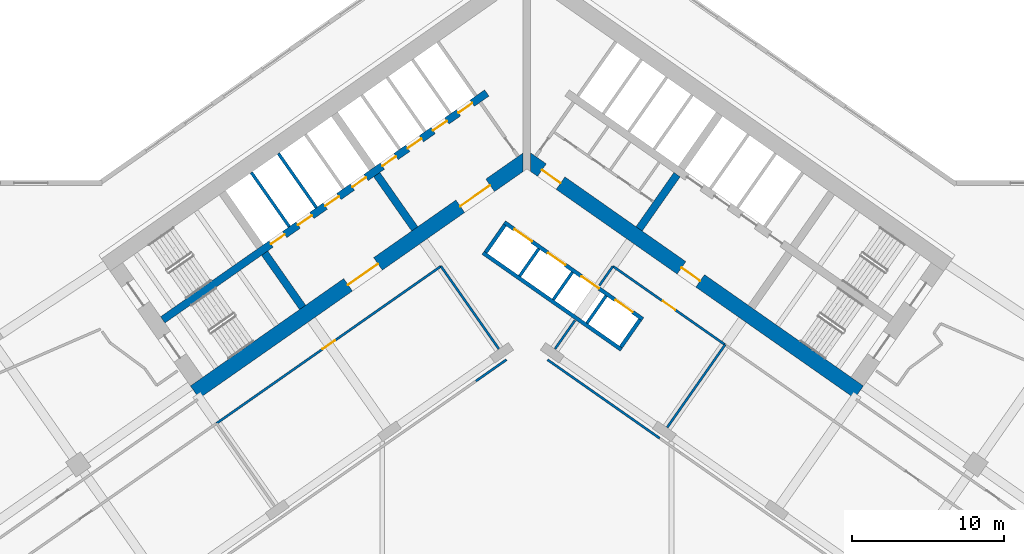
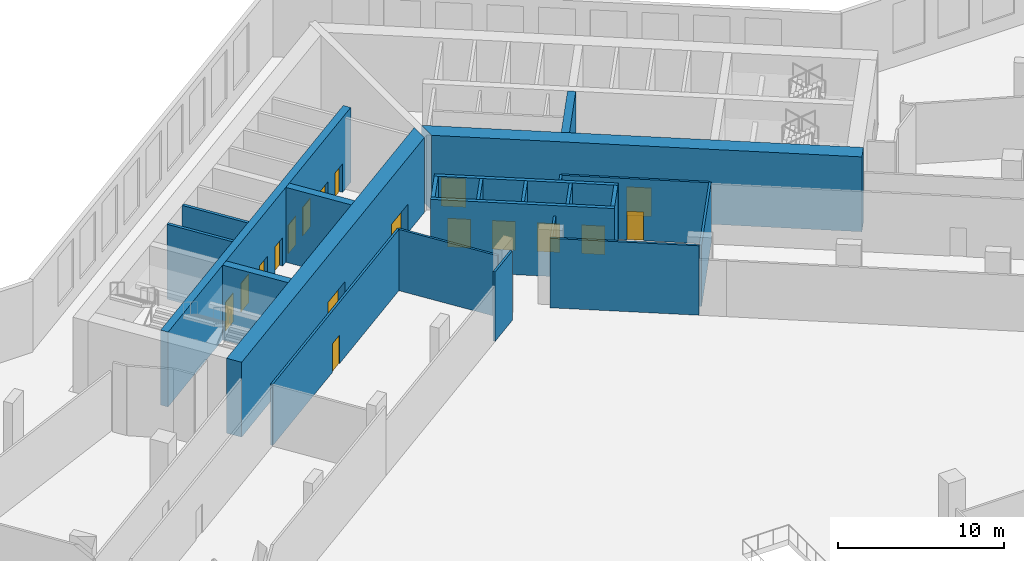
# One storey, part 8 of 15: 23 walls, 18 doors, 18 openings.
"""IFC4 building model written with IfcOpenShell, lengths in metres."""

from ifc_helpers import new_model, si_unit, direction, frame, frame_2d, origin, place, context, subcontext, project, spatial, polyline, rectangle, outline, extrude, material, layer, layer_set, type_object, element, fill, save


model = new_model("IFC4")

# Units and contexts
model_context = context("Model", 3, precision=1e-05, world=origin(), true_north=direction((0.0, 1.0)))
body_context = subcontext(model_context, "Body", "Model", "MODEL_VIEW")
ifc_project = project(units=[si_unit("LENGTHUNIT", "METRE"), si_unit("AREAUNIT", "SQUARE_METRE"), si_unit("VOLUMEUNIT", "CUBIC_METRE"), si_unit("PLANEANGLEUNIT", "RADIAN"), si_unit("MASSUNIT", "GRAM", prefix="KILO")], contexts=[model_context])

# Site, building, storey
site_placement = place(None, origin())
site = spatial("IfcSite", under=ifc_project, at=site_placement, CompositionType="ELEMENT")
building_placement = place(site_placement, origin())
building = spatial("IfcBuilding", under=site, at=building_placement, Name="Tel Ilan Convention Tower", CompositionType="ELEMENT")
storey_placement = place(building_placement, frame((0.0, 0.0, 43.0)))
storey = spatial("IfcBuildingStorey", under=building, at=storey_placement, Name="L06", CompositionType="ELEMENT", Elevation=43.0)

# Wall, openings, doors
ifc_material_1 = material(Name="Concrete C60/75", Category="concrete")
ifc_layer_1 = layer(ifc_material_1, 1.0)
ifc_layer_set_1 = layer_set([ifc_layer_1], Name="Core Shear Wall 1000 mm C60/75")
wall_type_1 = type_object("IfcWallType", Name="Core Shear Wall 1000 mm C60/75", PredefinedType="SHEAR", material=ifc_layer_set_1)
wall_1_placement = place(storey_placement, frame((0.036865234375, -0.584716796875, 0.0), z_axis=(0.0, 0.0, 1.0), x_axis=(-0.819157152511, -0.573569140985, 0.0)))
wall_1 = element("IfcWall", 1, at=wall_1_placement, inside=storey, type_object=wall_type_1, Name="L06 core wall W-front", PredefinedType="SHEAR", context=body_context, shape_type="SweptSolid", body=[
    extrude(outline(polyline([(26.69482421875, 0.500244140625), (0.7001953125, 0.499755859375), (0.0, -0.5), (26.69482421875, -0.499755859375), (26.69482421875, 0.500244140625)])), origin(), (0.0, 0.0, 1.0), 5.5),
])
opening_1_placement = place(wall_1_placement, frame((2.994873046875, 0.0, 0.0)))
opening_1 = element("IfcOpeningElement", 2, at=opening_1_placement, cuts=wall_1, Name="Opening CD0905", PredefinedType="OPENING", context=body_context, shape_type="SweptSolid", body=[
    extrude(rectangle(XDim=2.39990234375, YDim=2.10009765625, at=frame_2d((1.199951171875, 1.050048828125))), frame((0.0, 0.510009765625, 0.0), z_axis=(0.0, -1.0, 0.0), x_axis=(1.0, 0.0, 0.0)), (0.0, 0.0, 1.0), 1.02001953125),
])
opening_2_placement = place(wall_1_placement, frame((11.994873046875, 0.0, 0.0)))
opening_2 = element("IfcOpeningElement", 3, at=opening_2_placement, cuts=wall_1, Name="Opening CD0906", PredefinedType="OPENING", context=body_context, shape_type="SweptSolid", body=[
    extrude(rectangle(XDim=2.39990234375, YDim=2.10009765625, at=frame_2d((1.199951171875, 1.050048828125))), frame((0.0, 0.510009765625, 0.0), z_axis=(0.0, -1.0, 0.0), x_axis=(1.0, 0.0, 0.0)), (0.0, 0.0, 1.0), 1.02001953125),
])
ifc_material_2 = material(Name="Glazed Aluminium Door Leaf", Category="aluminium")
door_type_1 = type_object("IfcDoorType", Name="Lobby Opening Door 2400 x 2100 FD60S", OperationType="NOTDEFINED", PredefinedType="DOOR", material=ifc_material_2)
door_1_placement = place(opening_1_placement, origin())
door_1 = element("IfcDoor", 4, at=door_1_placement, inside=storey, type_object=door_type_1, Name="Lift Lobby LR1-LR4 opening", OperationType="DOUBLE_DOOR_SINGLE_SWING", OverallHeight=2.10009765625, OverallWidth=2.39990234375, PredefinedType="DOOR", context=body_context, shape_type="SweptSolid", body=[
    extrude(rectangle(XDim=2.39990234375, YDim=2.10009765625, at=frame_2d((1.199951171875, 1.050048828125))), frame((0.0, 0.02490234375, 0.0), z_axis=(0.0, -1.0, 0.0), x_axis=(1.0, 0.0, 0.0)), (0.0, 0.0, 1.0), 0.050048828125),
])
fill(opening_1, door_1)
door_2_placement = place(opening_2_placement, origin())
door_2 = element("IfcDoor", 5, at=door_2_placement, inside=storey, type_object=door_type_1, Name="Lift Lobby LR5-LR8 opening", OperationType="DOUBLE_DOOR_SINGLE_SWING", OverallHeight=2.10009765625, OverallWidth=2.39990234375, PredefinedType="DOOR", context=body_context, shape_type="SweptSolid", body=[
    extrude(rectangle(XDim=2.39990234375, YDim=2.10009765625, at=frame_2d((1.199951171875, 1.050048828125))), frame((0.0, 0.02490234375, 0.0), z_axis=(0.0, -1.0, 0.0), x_axis=(1.0, 0.0, 0.0)), (0.0, 0.0, 1.0), 0.050048828125),
])
fill(opening_2, door_2)

wall_2_placement = place(storey_placement, frame((-0.036865234375, -0.584716796875, 0.0), z_axis=(0.0, 0.0, 1.0), x_axis=(0.819157152511, -0.573569140985, 0.0)))
wall_2 = element("IfcWall", 6, at=wall_2_placement, inside=storey, type_object=wall_type_1, Name="L06 core wall E-front", PredefinedType="SHEAR", context=body_context, shape_type="SweptSolid", body=[
    extrude(outline(polyline([(26.69482421875, 0.499755859375), (0.0, 0.5), (0.7001953125, -0.499755859375), (26.69482421875, -0.500244140625), (26.69482421875, 0.499755859375)])), origin(), (0.0, 0.0, 1.0), 5.5),
])
opening_3_placement = place(wall_2_placement, frame((1.244873046875, 0.0, 0.0)))
opening_3 = element("IfcOpeningElement", 7, at=opening_3_placement, cuts=wall_2, Name="Opening CD0903", PredefinedType="OPENING", context=body_context, shape_type="SweptSolid", body=[
    extrude(rectangle(XDim=1.5, YDim=2.10009765625, at=frame_2d((0.75, 1.050048828125))), frame((0.0, 0.510009765625, 0.0), z_axis=(0.0, -1.0, 0.0), x_axis=(1.0, 0.0, 0.0)), (0.0, 0.0, 1.0), 1.02001953125),
])
opening_4_placement = place(wall_2_placement, frame((12.44482421875, 0.0, 0.0)))
opening_4 = element("IfcOpeningElement", 8, at=opening_4_placement, cuts=wall_2, Name="Opening CD0904", PredefinedType="OPENING", context=body_context, shape_type="SweptSolid", body=[
    extrude(rectangle(XDim=1.5, YDim=2.10009765625, at=frame_2d((0.75, 1.050048828125))), frame((0.0, 0.510009765625, 0.0), z_axis=(0.0, -1.0, 0.0), x_axis=(1.0, 0.0, 0.0)), (0.0, 0.0, 1.0), 1.02001953125),
])
ifc_material_3 = material(Name="Glazed Aluminium Door Leaf", Category="aluminium")
door_type_2 = type_object("IfcDoorType", Name="Lobby Opening Door 1500 x 2100 FD60S", OperationType="NOTDEFINED", PredefinedType="DOOR", material=ifc_material_3)
door_3_placement = place(opening_4_placement, origin())
door_3 = element("IfcDoor", 9, at=door_3_placement, inside=storey, type_object=door_type_2, Name="Firefighting Lobby door", OperationType="DOUBLE_DOOR_SINGLE_SWING", OverallHeight=2.10009765625, OverallWidth=1.5, PredefinedType="DOOR", context=body_context, shape_type="SweptSolid", body=[
    extrude(rectangle(XDim=1.5, YDim=2.10009765625, at=frame_2d((0.75, 1.050048828125))), frame((0.0, 0.02490234375, 0.0), z_axis=(0.0, -1.0, 0.0), x_axis=(1.0, 0.0, 0.0)), (0.0, 0.0, 1.0), 0.050048828125),
])
fill(opening_4, door_3)
ifc_material_4 = material(Name="Laminated Timber Door Leaf", Category="wood")
door_type_3 = type_object("IfcDoorType", Name="Toilet Door 1500 x 2100 FD30S", OperationType="NOTDEFINED", PredefinedType="DOOR", material=ifc_material_4)
door_4_placement = place(opening_3_placement, origin())
door_4 = element("IfcDoor", 10, at=door_4_placement, inside=storey, type_object=door_type_3, Name="WC Lobby door", OperationType="SINGLE_SWING_RIGHT", OverallHeight=2.10009765625, OverallWidth=1.5, PredefinedType="DOOR", context=body_context, shape_type="SweptSolid", body=[
    extrude(rectangle(XDim=1.5, YDim=2.10009765625, at=frame_2d((0.75, 1.050048828125))), frame((0.0, 0.02490234375, 0.0), z_axis=(0.0, -1.0, 0.0), x_axis=(1.0, 0.0, 0.0)), (0.0, 0.0, 1.0), 0.050048828125),
])
fill(opening_3, door_4)

# Walls
ifc_material_5 = material(Name="Concrete C60/75", Category="concrete")
ifc_layer_2 = layer(ifc_material_5, 0.5)
ifc_layer_set_2 = layer_set([ifc_layer_2], Name="Core Shear Wall 500 mm C60/75")
wall_type_2 = type_object("IfcWallType", Name="Core Shear Wall 500 mm C60/75", PredefinedType="SHEAR", material=ifc_layer_set_2)
wall_3_placement = place(storey_placement, frame((-7.372314453125, -5.162109375, 0.0), z_axis=(0.0, 0.0, 1.0), x_axis=(-0.573594173421, 0.819139624372, 0.0)))
element("IfcWall", 11, at=wall_3_placement, inside=storey, type_object=wall_type_2, Name="L06 core wall W-cross1-1", PredefinedType="SHEAR", context=body_context, shape_type="SweptSolid", body=[
    extrude(outline(polyline([(4.349853515625, 0.25), (0.0, 0.250244140625), (0.0, -0.25), (4.349853515625, -0.25), (4.349853515625, 0.25)])), origin(), (0.0, 0.0, 1.0), 5.5),
])
wall_4_placement = place(storey_placement, frame((-14.74462890625, -10.324462890625, 0.0), z_axis=(0.0, 0.0, 1.0), x_axis=(-0.57356780395, 0.819158088694, 0.0)))
element("IfcWall", 12, at=wall_4_placement, inside=storey, type_object=wall_type_2, Name="L06 core wall W-cross2-1", PredefinedType="SHEAR", context=body_context, shape_type="SweptSolid", body=[
    extrude(outline(polyline([(4.35009765625, 0.250244140625), (0.0, 0.25), (0.0, -0.25), (4.35009765625, -0.25), (4.35009765625, 0.250244140625)])), origin(), (0.0, 0.0, 1.0), 5.5),
])

# Wall, openings, doors
wall_5_placement = place(storey_placement, frame((-2.638427734375, 3.76806640625, 0.0), z_axis=(0.0, 0.0, 1.0), x_axis=(-0.819148977158, -0.573580816643, 0.0)))
wall_5 = element("IfcWall", 13, at=wall_5_placement, inside=storey, type_object=wall_type_2, Name="L06 core wall W-spine", PredefinedType="SHEAR", context=body_context, shape_type="SweptSolid", body=[
    extrude(outline(polyline([(26.0, 0.249755859375), (0.0, 0.25), (0.0, -0.25), (26.0, -0.250244140625), (26.0, 0.249755859375)])), origin(), (0.0, 0.0, 1.0), 5.5),
])
opening_5_placement = place(wall_5_placement, frame((1.168701171875, 0.0, 0.0)))
opening_5 = element("IfcOpeningElement", 14, at=opening_5_placement, cuts=wall_5, Name="Opening LD0904", PredefinedType="OPENING", context=body_context, shape_type="SweptSolid", body=[
    extrude(rectangle(XDim=1.10009765625, YDim=2.10009765625, at=frame_2d((0.550048828125, 1.050048828125))), frame((0.0, 0.260009765625, 0.0), z_axis=(0.0, -1.0, 0.0), x_axis=(1.0, 0.0, 0.0)), (0.0, 0.0, 1.0), 0.52001953125),
])
opening_6_placement = place(wall_5_placement, frame((3.206298828125, 0.0, 0.0)))
opening_6 = element("IfcOpeningElement", 15, at=opening_6_placement, cuts=wall_5, Name="Opening LD0905", PredefinedType="OPENING", context=body_context, shape_type="SweptSolid", body=[
    extrude(rectangle(XDim=1.10009765625, YDim=2.10009765625, at=frame_2d((0.550048828125, 1.050048828125))), frame((0.0, 0.260009765625, 0.0), z_axis=(0.0, -1.0, 0.0), x_axis=(1.0, 0.0, 0.0)), (0.0, 0.0, 1.0), 0.52001953125),
])
opening_7_placement = place(wall_5_placement, frame((5.24365234375, 0.0, 0.0)))
opening_7 = element("IfcOpeningElement", 16, at=opening_7_placement, cuts=wall_5, Name="Opening LD0906", PredefinedType="OPENING", context=body_context, shape_type="SweptSolid", body=[
    extrude(rectangle(XDim=1.10009765625, YDim=2.10009765625, at=frame_2d((0.550048828125, 1.050048828125))), frame((0.0, 0.260009765625, 0.0), z_axis=(0.0, -1.0, 0.0), x_axis=(1.0, 0.0, 0.0)), (0.0, 0.0, 1.0), 0.52001953125),
])
opening_8_placement = place(wall_5_placement, frame((7.28125, 0.0, 0.0)))
opening_8 = element("IfcOpeningElement", 17, at=opening_8_placement, cuts=wall_5, Name="Opening LD0907", PredefinedType="OPENING", context=body_context, shape_type="SweptSolid", body=[
    extrude(rectangle(XDim=1.10009765625, YDim=2.10009765625, at=frame_2d((0.550048828125, 1.050048828125))), frame((0.0, 0.260009765625, 0.0), z_axis=(0.0, -1.0, 0.0), x_axis=(1.0, 0.0, 0.0)), (0.0, 0.0, 1.0), 0.52001953125),
])
opening_9_placement = place(wall_5_placement, frame((9.6875, 0.0, 0.0)))
opening_9 = element("IfcOpeningElement", 18, at=opening_9_placement, cuts=wall_5, Name="Opening LD0908", PredefinedType="OPENING", context=body_context, shape_type="SweptSolid", body=[
    extrude(rectangle(XDim=1.10009765625, YDim=2.10009765625, at=frame_2d((0.550048828125, 1.050048828125))), frame((0.0, 0.260009765625, 0.0), z_axis=(0.0, -1.0, 0.0), x_axis=(1.0, 0.0, 0.0)), (0.0, 0.0, 1.0), 0.52001953125),
])
opening_10_placement = place(wall_5_placement, frame((11.862548828125, 0.0, 0.0)))
opening_10 = element("IfcOpeningElement", 19, at=opening_10_placement, cuts=wall_5, Name="Opening LD0909", PredefinedType="OPENING", context=body_context, shape_type="SweptSolid", body=[
    extrude(rectangle(XDim=1.10009765625, YDim=2.10009765625, at=frame_2d((0.550048828125, 1.050048828125))), frame((0.0, 0.260009765625, 0.0), z_axis=(0.0, -1.0, 0.0), x_axis=(1.0, 0.0, 0.0)), (0.0, 0.0, 1.0), 0.52001953125),
])
opening_11_placement = place(wall_5_placement, frame((14.03759765625, 0.0, 0.0)))
opening_11 = element("IfcOpeningElement", 20, at=opening_11_placement, cuts=wall_5, Name="Opening LD0910", PredefinedType="OPENING", context=body_context, shape_type="SweptSolid", body=[
    extrude(rectangle(XDim=1.10009765625, YDim=2.10009765625, at=frame_2d((0.550048828125, 1.050048828125))), frame((0.0, 0.260009765625, 0.0), z_axis=(0.0, -1.0, 0.0), x_axis=(1.0, 0.0, 0.0)), (0.0, 0.0, 1.0), 0.52001953125),
])
opening_12_placement = place(wall_5_placement, frame((16.21240234375, 0.0, 0.0)))
opening_12 = element("IfcOpeningElement", 21, at=opening_12_placement, cuts=wall_5, Name="Opening LD0911", PredefinedType="OPENING", context=body_context, shape_type="SweptSolid", body=[
    extrude(rectangle(XDim=1.10009765625, YDim=2.10009765625, at=frame_2d((0.550048828125, 1.050048828125))), frame((0.0, 0.260009765625, 0.0), z_axis=(0.0, -1.0, 0.0), x_axis=(1.0, 0.0, 0.0)), (0.0, 0.0, 1.0), 0.52001953125),
])
ifc_material_6 = material(Name="Stainless Steel Sliding Door Leaf", Category="steel")
door_type_4 = type_object("IfcDoorType", Name="Lift Landing Door 1100 x 2100 FD120", OperationType="NOTDEFINED", PredefinedType="DOOR", material=ifc_material_6)
door_5_placement = place(opening_5_placement, origin())
door_5 = element("IfcDoor", 22, at=door_5_placement, inside=storey, type_object=door_type_4, Name="Lift LR1 landing door", OperationType="SLIDING_TO_LEFT", OverallHeight=2.10009765625, OverallWidth=1.10009765625, PredefinedType="DOOR", context=body_context, shape_type="SweptSolid", body=[
    extrude(rectangle(XDim=1.10009765625, YDim=2.10009765625, at=frame_2d((0.550048828125, 1.050048828125))), frame((0.0, 0.02490234375, 0.0), z_axis=(0.0, -1.0, 0.0), x_axis=(1.0, 0.0, 0.0)), (0.0, 0.0, 1.0), 0.050048828125),
])
fill(opening_5, door_5)
door_6_placement = place(opening_6_placement, origin())
door_6 = element("IfcDoor", 23, at=door_6_placement, inside=storey, type_object=door_type_4, Name="Lift LR2 landing door", OperationType="SLIDING_TO_RIGHT", OverallHeight=2.10009765625, OverallWidth=1.10009765625, PredefinedType="DOOR", context=body_context, shape_type="SweptSolid", body=[
    extrude(rectangle(XDim=1.10009765625, YDim=2.10009765625, at=frame_2d((0.550048828125, 1.050048828125))), frame((0.0, 0.02490234375, 0.0), z_axis=(0.0, -1.0, 0.0), x_axis=(1.0, 0.0, 0.0)), (0.0, 0.0, 1.0), 0.050048828125),
])
fill(opening_6, door_6)
door_7_placement = place(opening_7_placement, origin())
door_7 = element("IfcDoor", 24, at=door_7_placement, inside=storey, type_object=door_type_4, Name="Lift LR3 landing door", OperationType="SLIDING_TO_LEFT", OverallHeight=2.10009765625, OverallWidth=1.10009765625, PredefinedType="DOOR", context=body_context, shape_type="SweptSolid", body=[
    extrude(rectangle(XDim=1.10009765625, YDim=2.10009765625, at=frame_2d((0.550048828125, 1.050048828125))), frame((0.0, 0.02490234375, 0.0), z_axis=(0.0, -1.0, 0.0), x_axis=(1.0, 0.0, 0.0)), (0.0, 0.0, 1.0), 0.050048828125),
])
fill(opening_7, door_7)
door_8_placement = place(opening_8_placement, origin())
door_8 = element("IfcDoor", 25, at=door_8_placement, inside=storey, type_object=door_type_4, Name="Lift LR4 landing door", OperationType="SLIDING_TO_RIGHT", OverallHeight=2.10009765625, OverallWidth=1.10009765625, PredefinedType="DOOR", context=body_context, shape_type="SweptSolid", body=[
    extrude(rectangle(XDim=1.10009765625, YDim=2.10009765625, at=frame_2d((0.550048828125, 1.050048828125))), frame((0.0, 0.02490234375, 0.0), z_axis=(0.0, -1.0, 0.0), x_axis=(1.0, 0.0, 0.0)), (0.0, 0.0, 1.0), 0.050048828125),
])
fill(opening_8, door_8)
door_9_placement = place(opening_9_placement, origin())
door_9 = element("IfcDoor", 26, at=door_9_placement, inside=storey, type_object=door_type_4, Name="Lift LR5 landing door", OperationType="SLIDING_TO_LEFT", OverallHeight=2.10009765625, OverallWidth=1.10009765625, PredefinedType="DOOR", context=body_context, shape_type="SweptSolid", body=[
    extrude(rectangle(XDim=1.10009765625, YDim=2.10009765625, at=frame_2d((0.550048828125, 1.050048828125))), frame((0.0, 0.02490234375, 0.0), z_axis=(0.0, -1.0, 0.0), x_axis=(1.0, 0.0, 0.0)), (0.0, 0.0, 1.0), 0.050048828125),
])
fill(opening_9, door_9)
door_10_placement = place(opening_10_placement, origin())
door_10 = element("IfcDoor", 27, at=door_10_placement, inside=storey, type_object=door_type_4, Name="Lift LR6 landing door", OperationType="SLIDING_TO_RIGHT", OverallHeight=2.10009765625, OverallWidth=1.10009765625, PredefinedType="DOOR", context=body_context, shape_type="SweptSolid", body=[
    extrude(rectangle(XDim=1.10009765625, YDim=2.10009765625, at=frame_2d((0.550048828125, 1.050048828125))), frame((0.0, 0.02490234375, 0.0), z_axis=(0.0, -1.0, 0.0), x_axis=(1.0, 0.0, 0.0)), (0.0, 0.0, 1.0), 0.050048828125),
])
fill(opening_10, door_10)
door_11_placement = place(opening_11_placement, origin())
door_11 = element("IfcDoor", 28, at=door_11_placement, inside=storey, type_object=door_type_4, Name="Lift LR7 landing door", OperationType="SLIDING_TO_LEFT", OverallHeight=2.10009765625, OverallWidth=1.10009765625, PredefinedType="DOOR", context=body_context, shape_type="SweptSolid", body=[
    extrude(rectangle(XDim=1.10009765625, YDim=2.10009765625, at=frame_2d((0.550048828125, 1.050048828125))), frame((0.0, 0.02490234375, 0.0), z_axis=(0.0, -1.0, 0.0), x_axis=(1.0, 0.0, 0.0)), (0.0, 0.0, 1.0), 0.050048828125),
])
fill(opening_11, door_11)
door_12_placement = place(opening_12_placement, origin())
door_12 = element("IfcDoor", 29, at=door_12_placement, inside=storey, type_object=door_type_4, Name="Lift LR8 landing door", OperationType="SLIDING_TO_RIGHT", OverallHeight=2.10009765625, OverallWidth=1.10009765625, PredefinedType="DOOR", context=body_context, shape_type="SweptSolid", body=[
    extrude(rectangle(XDim=1.10009765625, YDim=2.10009765625, at=frame_2d((0.550048828125, 1.050048828125))), frame((0.0, 0.02490234375, 0.0), z_axis=(0.0, -1.0, 0.0), x_axis=(1.0, 0.0, 0.0)), (0.0, 0.0, 1.0), 0.050048828125),
])
fill(opening_12, door_12)

# Wall
wall_6_placement = place(storey_placement, frame((7.372314453125, -5.162109375, 0.0), z_axis=(0.0, 0.0, 1.0), x_axis=(0.573594173421, 0.819139624372, 0.0)))
element("IfcWall", 30, at=wall_6_placement, inside=storey, type_object=wall_type_2, Name="L06 core wall E-cross1-1", PredefinedType="SHEAR", context=body_context, shape_type="SweptSolid", body=[
    extrude(outline(polyline([(0.0, 0.25), (0.0, -0.250244140625), (4.349853515625, -0.25), (4.349853515625, 0.25), (0.0, 0.25)])), origin(), (0.0, 0.0, 1.0), 5.5),
])

# Wall, opening, door
ifc_material_7 = material(Name="Plasterboard on Steel Studs", Category="steel")
ifc_layer_3 = layer(ifc_material_7, 0.14990234375)
ifc_layer_set_3 = layer_set([ifc_layer_3], Name="Fire-rated Partition 150 EI 60")
wall_type_3 = type_object("IfcWallType", Name="Fire-rated Partition 150 EI 60", PredefinedType="PARTITIONING", material=ifc_layer_set_3)
wall_7_placement = place(storey_placement, frame((13.025634765625, -12.782958984375, 0.0), z_axis=(0.0, 0.0, 1.0), x_axis=(-0.81915291695, 0.57357519006, 0.0)))
wall_7 = element("IfcWall", 31, at=wall_7_placement, inside=storey, type_object=wall_type_3, Name="Partition 002", PredefinedType="PARTITIONING", context=body_context, shape_type="SweptSolid", body=[
    extrude(rectangle(XDim=9.001953125, YDim=0.14990234375, at=frame_2d((4.5009765625, 0.0))), origin(), (0.0, 0.0, 1.0), 4.5),
])
opening_13_placement = place(wall_7_placement, frame((4.0009765625, 0.0, 0.0)))
opening_13 = element("IfcOpeningElement", 32, at=opening_13_placement, cuts=wall_7, Name="Opening L06-004", PredefinedType="OPENING", context=body_context, shape_type="SweptSolid", body=[
    extrude(rectangle(XDim=1.0, YDim=2.10009765625, at=frame_2d((0.5, 1.050048828125))), frame((0.0, 0.0849609375, 0.0), z_axis=(0.0, -1.0, 0.0), x_axis=(1.0, 0.0, 0.0)), (0.0, 0.0, 1.0), 0.169921875),
])
ifc_material_8 = material(Name="Timber Door Leaf in Steel Frame", Category="steel")
door_type_5 = type_object("IfcDoorType", Name="Plant Room Fire Door 1000x2100", OperationType="NOTDEFINED", PredefinedType="DOOR", material=ifc_material_8)
door_13_placement = place(opening_13_placement, origin())
door_13 = element("IfcDoor", 33, at=door_13_placement, inside=storey, type_object=door_type_5, Name="Door L06-004", OperationType="SINGLE_SWING_LEFT", OverallHeight=2.10009765625, OverallWidth=1.0, PredefinedType="DOOR", context=body_context, shape_type="SweptSolid", body=[
    extrude(rectangle(XDim=1.0, YDim=2.10009765625, at=frame_2d((0.5, 1.050048828125))), frame((0.0, 0.02490234375, 0.0), z_axis=(0.0, -1.0, 0.0), x_axis=(1.0, 0.0, 0.0)), (0.0, 0.0, 1.0), 0.050048828125),
])
fill(opening_13, door_13)

wall_8_placement = place(storey_placement, frame((-5.651611328125, -7.61962890625, 0.0), z_axis=(0.0, 0.0, 1.0), x_axis=(-0.819147172988, -0.573583393228, 0.0)))
wall_8 = element("IfcWall", 34, at=wall_8_placement, inside=storey, type_object=wall_type_3, Name="Partition 005", PredefinedType="PARTITIONING", context=body_context, shape_type="SweptSolid", body=[
    extrude(rectangle(XDim=18.001953125, YDim=0.14990234375, at=frame_2d((9.0009765625, 0.0))), origin(), (0.0, 0.0, 1.0), 4.5),
])
opening_14_placement = place(wall_8_placement, frame((8.5009765625, 0.0, 0.0)))
opening_14 = element("IfcOpeningElement", 35, at=opening_14_placement, cuts=wall_8, Name="Opening L06-001", PredefinedType="OPENING", context=body_context, shape_type="SweptSolid", body=[
    extrude(rectangle(XDim=1.0, YDim=2.10009765625, at=frame_2d((0.5, 1.050048828125))), frame((0.0, 0.0849609375, 0.0), z_axis=(0.0, -1.0, 0.0), x_axis=(1.0, 0.0, 0.0)), (0.0, 0.0, 1.0), 0.169921875),
])
door_14_placement = place(opening_14_placement, origin())
door_14 = element("IfcDoor", 36, at=door_14_placement, inside=storey, type_object=door_type_5, Name="Door L06-001", OperationType="SINGLE_SWING_LEFT", OverallHeight=2.10009765625, OverallWidth=1.0, PredefinedType="DOOR", context=body_context, shape_type="SweptSolid", body=[
    extrude(rectangle(XDim=1.0, YDim=2.10009765625, at=frame_2d((0.5, 1.050048828125))), frame((0.0, 0.02490234375, 0.0), z_axis=(0.0, -1.0, 0.0), x_axis=(1.0, 0.0, 0.0)), (0.0, 0.0, 1.0), 0.050048828125),
])
fill(opening_14, door_14)

# Walls
wall_9_placement = place(storey_placement, frame((13.02392578125, -12.78173828125, 0.0), z_axis=(0.0, 0.0, 1.0), x_axis=(-0.573556251799, -0.819166177294, 0.0)))
element("IfcWall", 37, at=wall_9_placement, inside=storey, type_object=wall_type_3, Name="Partition 017", PredefinedType="PARTITIONING", context=body_context, shape_type="SweptSolid", body=[
    extrude(rectangle(XDim=6.630126953125, YDim=0.14990234375, at=frame_2d((3.31494140625, 0.0))), origin(), (0.0, 0.0, 1.0), 4.5),
])
wall_10_placement = place(storey_placement, frame((8.72216796875, -18.925537109375, 0.0), z_axis=(0.0, 0.0, 1.0), x_axis=(-0.819141427692, 0.573591598124, 0.0)))
element("IfcWall", 38, at=wall_10_placement, inside=storey, type_object=wall_type_3, Name="Partition 018", PredefinedType="PARTITIONING", context=body_context, shape_type="SweptSolid", body=[
    extrude(rectangle(XDim=9.0, YDim=0.14990234375, at=frame_2d((4.5, 0.0))), origin(), (0.0, 0.0, 1.0), 5.10009765625),
])
wall_11_placement = place(storey_placement, frame((1.848876953125, -13.050537109375, 0.0), z_axis=(0.0, 0.0, 1.0), x_axis=(0.57358452344, 0.819146381589, 0.0)))
element("IfcWall", 39, at=wall_11_placement, inside=storey, type_object=wall_type_3, Name="Partition 019", PredefinedType="PARTITIONING", context=body_context, shape_type="SweptSolid", body=[
    extrude(rectangle(XDim=2.27978515625, YDim=0.14990234375, at=frame_2d((1.139892578125, 0.0))), origin(), (0.0, 0.0, 1.0), 4.5),
])
wall_12_placement = place(storey_placement, frame((4.7626953125, -8.889404296875, 0.0), z_axis=(0.0, 0.0, 1.0), x_axis=(0.573494057365, 0.819209720504, 0.0)))
element("IfcWall", 40, at=wall_12_placement, inside=storey, type_object=wall_type_3, Name="Partition 020", PredefinedType="PARTITIONING", context=body_context, shape_type="SweptSolid", body=[
    extrude(rectangle(XDim=1.550048828125, YDim=0.14990234375, at=frame_2d((0.77490234375, 0.0))), origin(), (0.0, 0.0, 1.0), 4.5),
])
wall_13_placement = place(storey_placement, frame((-3.355224609375, -15.168701171875, 0.0), z_axis=(0.0, 0.0, 1.0), x_axis=(0.819157023945, 0.573569324599, 0.0)))
element("IfcWall", 41, at=wall_13_placement, inside=storey, type_object=wall_type_3, Name="Partition 064", PredefinedType="PARTITIONING", context=body_context, shape_type="SweptSolid", body=[
    extrude(rectangle(XDim=2.450439453125, YDim=0.14990234375, at=frame_2d((1.22509765625, 0.0))), origin(), (0.0, 0.0, 1.0), 5.10009765625),
])
wall_14_placement = place(storey_placement, frame((-1.848876953125, -13.050537109375, 0.0), z_axis=(0.0, 0.0, 1.0), x_axis=(-0.573575988258, 0.819152358047, 0.0)))
element("IfcWall", 42, at=wall_14_placement, inside=storey, type_object=wall_type_3, Name="Partition 068", PredefinedType="PARTITIONING", context=body_context, shape_type="SweptSolid", body=[
    extrude(rectangle(XDim=6.632080078125, YDim=0.14990234375, at=frame_2d((3.31591796875, 0.0))), origin(), (0.0, 0.0, 1.0), 4.5),
])
ifc_material_9 = material(Name="Concrete C30/37", Category="concrete")
ifc_layer_4 = layer(ifc_material_9, 0.199951171875)
ifc_layer_set_4 = layer_set([ifc_layer_4], Name="Lift Shaft Wall 200 mm C30/37")
wall_type_4 = type_object("IfcWallType", Name="Lift Shaft Wall 200 mm C30/37", PredefinedType="SOLIDWALL", material=ifc_layer_set_4)
wall_15_placement = place(storey_placement, frame((-13.84033203125, -3.7705078125, 0.0), z_axis=(0.0, 0.0, 1.0), x_axis=(-0.57356780395, 0.819158088694, 0.0)))
element("IfcWall", 43, at=wall_15_placement, inside=storey, type_object=wall_type_4, Name="L06 core wall bank-W2-p1", PredefinedType="SOLIDWALL", context=body_context, shape_type="SweptSolid", body=[
    extrude(rectangle(XDim=4.35009765625, YDim=0.199951171875, at=frame_2d((2.175048828125, 0.0))), origin(), (0.0, 0.0, 1.0), 5.5),
])
wall_16_placement = place(storey_placement, frame((-15.6220703125, -5.017822265625, 0.0), z_axis=(0.0, 0.0, 1.0), x_axis=(-0.573594173421, 0.819139624372, 0.0)))
element("IfcWall", 44, at=wall_16_placement, inside=storey, type_object=wall_type_4, Name="L06 core wall bank-W2-p2", PredefinedType="SOLIDWALL", context=body_context, shape_type="SweptSolid", body=[
    extrude(rectangle(XDim=4.349853515625, YDim=0.199951171875, at=frame_2d((2.1748046875, 0.0))), origin(), (0.0, 0.0, 1.0), 5.5),
])
for number, where, z_axis, x_axis, name in (
    (45, (-0.48046875, -8.27001953125, 0.0), (0.0, 0.0, 1.0), (0.573633636671, 0.819111989218, 0.0), "L06 core wall pl-part-0"),
    (46, (1.731201171875, -9.818603515625, 0.0), (0.0, 0.0, 1.0), (0.573633636671, 0.819111989218, 0.0), "L06 core wall pl-part-1"),
    (47, (3.943115234375, -11.367431640625, 0.0), (0.0, 0.0, 1.0), (0.573507030513, 0.819200638399, 0.0), "L06 core wall pl-part-2"),
):
    element("IfcWall", number, at=place(storey_placement, frame(where, z_axis=z_axis, x_axis=x_axis)), inside=storey, type_object=wall_type_4, Name=name, PredefinedType="SOLIDWALL", context=body_context, shape_type="SweptSolid", body=[
        extrude(rectangle(XDim=2.199951171875, YDim=0.199951171875, at=frame_2d((1.10009765625, 0.0))), origin(), (0.0, 0.0, 1.0), 5.219970703125),
    ])
ifc_material_10 = material(Name="Concrete C30/37", Category="concrete")
ifc_layer_5 = layer(ifc_material_10, 0.25)
ifc_layer_set_5 = layer_set([ifc_layer_5], Name="Lift Shaft Wall 250 mm C30/37")
wall_type_5 = type_object("IfcWallType", Name="Lift Shaft Wall 250 mm C30/37", PredefinedType="SOLIDWALL", material=ifc_layer_set_5)
wall_17_placement = place(storey_placement, frame((-2.88671875, -6.73779296875, 0.0), z_axis=(0.0, 0.0, 1.0), x_axis=(0.819150280716, -0.573578954985, 0.0)))
element("IfcWall", 48, at=wall_17_placement, inside=storey, type_object=wall_type_5, Name="L06 core wall pl-back", PredefinedType="SOLIDWALL", context=body_context, shape_type="SweptSolid", body=[
    extrude(rectangle(XDim=11.099853515625, YDim=0.25, at=frame_2d((5.5498046875, 0.0))), origin(), (0.0, 0.0, 1.0), 5.219970703125),
])

# Wall, openings, doors
wall_18_placement = place(storey_placement, frame((-1.4814453125, -4.73095703125, 0.0), z_axis=(0.0, 0.0, 1.0), x_axis=(0.819150280716, -0.573578954985, 0.0)))
wall_18 = element("IfcWall", 49, at=wall_18_placement, inside=storey, type_object=wall_type_5, Name="L06 core wall pl-front", PredefinedType="SOLIDWALL", context=body_context, shape_type="SweptSolid", body=[
    extrude(rectangle(XDim=11.099853515625, YDim=0.25, at=frame_2d((5.5498046875, 0.0))), origin(), (0.0, 0.0, 1.0), 5.219970703125),
])
opening_15_placement = place(wall_18_placement, frame((0.800048828125, 0.0, 0.0)))
opening_15 = element("IfcOpeningElement", 50, at=opening_15_placement, cuts=wall_18, Name="Opening LD0912", PredefinedType="OPENING", context=body_context, shape_type="SweptSolid", body=[
    extrude(rectangle(XDim=1.39990234375, YDim=2.10009765625, at=frame_2d((0.699951171875, 1.050048828125))), frame((0.0, 0.135009765625, 0.0), z_axis=(0.0, -1.0, 0.0), x_axis=(1.0, 0.0, 0.0)), (0.0, 0.0, 1.0), 0.27001953125),
])
opening_16_placement = place(wall_18_placement, frame((3.5, 0.0, 0.0)))
opening_16 = element("IfcOpeningElement", 51, at=opening_16_placement, cuts=wall_18, Name="Opening LD0913", PredefinedType="OPENING", context=body_context, shape_type="SweptSolid", body=[
    extrude(rectangle(XDim=1.39990234375, YDim=2.10009765625, at=frame_2d((0.699951171875, 1.050048828125))), frame((0.0, 0.135009765625, 0.0), z_axis=(0.0, -1.0, 0.0), x_axis=(1.0, 0.0, 0.0)), (0.0, 0.0, 1.0), 0.27001953125),
])
opening_17_placement = place(wall_18_placement, frame((6.199951171875, 0.0, 0.0)))
opening_17 = element("IfcOpeningElement", 52, at=opening_17_placement, cuts=wall_18, Name="Opening LD0914", PredefinedType="OPENING", context=body_context, shape_type="SweptSolid", body=[
    extrude(rectangle(XDim=1.39990234375, YDim=2.10009765625, at=frame_2d((0.699951171875, 1.050048828125))), frame((0.0, 0.135009765625, 0.0), z_axis=(0.0, -1.0, 0.0), x_axis=(1.0, 0.0, 0.0)), (0.0, 0.0, 1.0), 0.27001953125),
])
opening_18_placement = place(wall_18_placement, frame((8.89990234375, 0.0, 0.0)))
opening_18 = element("IfcOpeningElement", 53, at=opening_18_placement, cuts=wall_18, Name="Opening LD0915", PredefinedType="OPENING", context=body_context, shape_type="SweptSolid", body=[
    extrude(rectangle(XDim=1.39990234375, YDim=2.10009765625, at=frame_2d((0.699951171875, 1.050048828125))), frame((0.0, 0.135009765625, 0.0), z_axis=(0.0, -1.0, 0.0), x_axis=(1.0, 0.0, 0.0)), (0.0, 0.0, 1.0), 0.27001953125),
])
ifc_material_11 = material(Name="Stainless Steel Sliding Door Leaf", Category="steel")
door_type_6 = type_object("IfcDoorType", Name="Lift Landing Door 1400 x 2100 FD120", OperationType="NOTDEFINED", PredefinedType="DOOR", material=ifc_material_11)
door_15_placement = place(opening_15_placement, origin())
door_15 = element("IfcDoor", 54, at=door_15_placement, inside=storey, type_object=door_type_6, Name="Lift PL1 landing door", OperationType="SLIDING_TO_LEFT", OverallHeight=2.10009765625, OverallWidth=1.39990234375, PredefinedType="DOOR", context=body_context, shape_type="SweptSolid", body=[
    extrude(rectangle(XDim=1.39990234375, YDim=2.10009765625, at=frame_2d((0.699951171875, 1.050048828125))), frame((0.0, 0.02490234375, 0.0), z_axis=(0.0, -1.0, 0.0), x_axis=(1.0, 0.0, 0.0)), (0.0, 0.0, 1.0), 0.050048828125),
])
fill(opening_15, door_15)
door_16_placement = place(opening_16_placement, origin())
door_16 = element("IfcDoor", 55, at=door_16_placement, inside=storey, type_object=door_type_6, Name="Lift PL2 landing door", OperationType="SLIDING_TO_RIGHT", OverallHeight=2.10009765625, OverallWidth=1.39990234375, PredefinedType="DOOR", context=body_context, shape_type="SweptSolid", body=[
    extrude(rectangle(XDim=1.39990234375, YDim=2.10009765625, at=frame_2d((0.699951171875, 1.050048828125))), frame((0.0, 0.02490234375, 0.0), z_axis=(0.0, -1.0, 0.0), x_axis=(1.0, 0.0, 0.0)), (0.0, 0.0, 1.0), 0.050048828125),
])
fill(opening_16, door_16)
door_17_placement = place(opening_17_placement, origin())
door_17 = element("IfcDoor", 56, at=door_17_placement, inside=storey, type_object=door_type_6, Name="Lift PL3 landing door", OperationType="SLIDING_TO_LEFT", OverallHeight=2.10009765625, OverallWidth=1.39990234375, PredefinedType="DOOR", context=body_context, shape_type="SweptSolid", body=[
    extrude(rectangle(XDim=1.39990234375, YDim=2.10009765625, at=frame_2d((0.699951171875, 1.050048828125))), frame((0.0, 0.02490234375, 0.0), z_axis=(0.0, -1.0, 0.0), x_axis=(1.0, 0.0, 0.0)), (0.0, 0.0, 1.0), 0.050048828125),
])
fill(opening_17, door_17)
door_18_placement = place(opening_18_placement, origin())
door_18 = element("IfcDoor", 57, at=door_18_placement, inside=storey, type_object=door_type_6, Name="Lift PL4 landing door", OperationType="SLIDING_TO_RIGHT", OverallHeight=2.10009765625, OverallWidth=1.39990234375, PredefinedType="DOOR", context=body_context, shape_type="SweptSolid", body=[
    extrude(rectangle(XDim=1.39990234375, YDim=2.10009765625, at=frame_2d((0.699951171875, 1.050048828125))), frame((0.0, 0.02490234375, 0.0), z_axis=(0.0, -1.0, 0.0), x_axis=(1.0, 0.0, 0.0)), (0.0, 0.0, 1.0), 0.050048828125),
])
fill(opening_18, door_18)

# Walls
wall_19_placement = place(storey_placement, frame((-2.712646484375, -6.70703125, 0.0), z_axis=(0.0, 0.0, 1.0), x_axis=(0.573581496053, 0.819148501424, 0.0)))
element("IfcWall", 58, at=wall_19_placement, inside=storey, type_object=wall_type_5, Name="L06 core wall pl-end-a", PredefinedType="SOLIDWALL", context=body_context, shape_type="SweptSolid", body=[
    extrude(rectangle(XDim=2.2001953125, YDim=0.25, at=frame_2d((1.10009765625, 0.0))), origin(), (0.0, 0.0, 1.0), 5.219970703125),
])
wall_20_placement = place(storey_placement, frame((6.17529296875, -12.930419921875, 0.0), z_axis=(0.0, 0.0, 1.0), x_axis=(0.573559170999, 0.819164133348, 0.0)))
element("IfcWall", 59, at=wall_20_placement, inside=storey, type_object=wall_type_5, Name="L06 core wall pl-end-b", PredefinedType="SOLIDWALL", context=body_context, shape_type="SweptSolid", body=[
    extrude(rectangle(XDim=2.19970703125, YDim=0.25, at=frame_2d((1.099853515625, 0.0))), origin(), (0.0, 0.0, 1.0), 5.219970703125),
])

save(model, "model.ifc")
